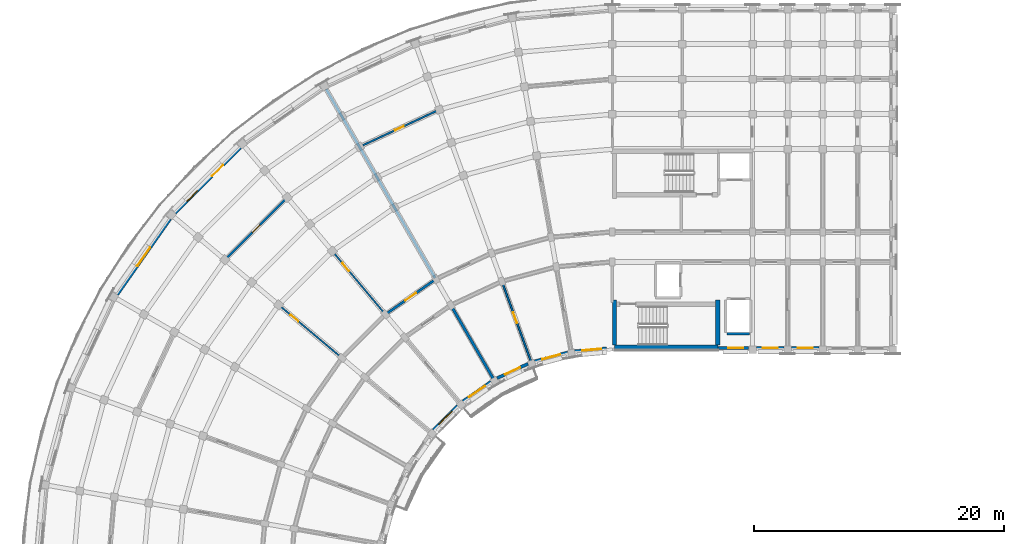
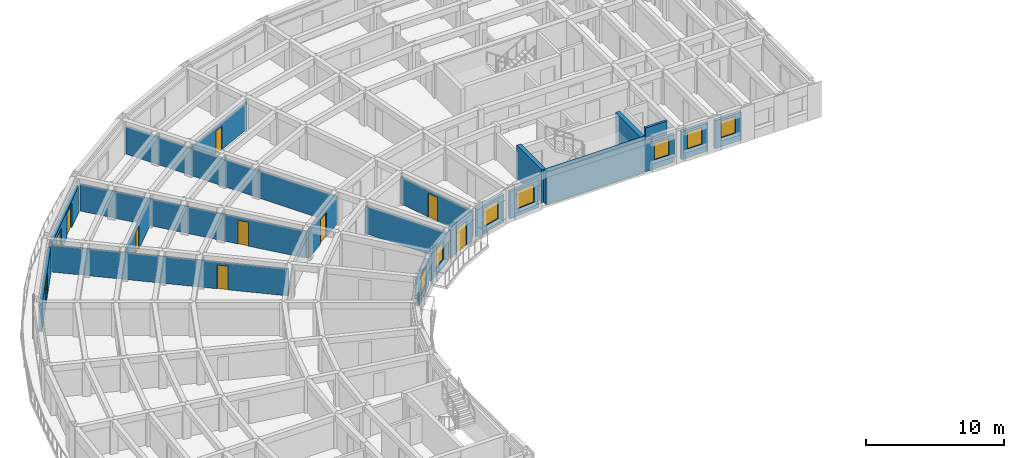
# One storey, part 24 of 53: 22 walls, 9 windows, 8 doors, 17 openings.
"""IFC4 building model written with IfcOpenShell, lengths in metres."""

import ifcopenshell
import ifcopenshell.guid

model = None  # the IFC model being written
_history = None  # IfcOwnerHistory: only IFC2X3 demands one
_inside = {}  # id of a spatial element -> (the spatial element, [elements in it])
_under = {}  # id of a project, library or spatial element -> (it, [spatial elements below it])
_declared = {}  # id of a project -> (the project, [libraries it declares])
_typed = {}  # id of a type object -> (the type object, [elements of that type])
_made_of = {}  # id of a material, layer set ... -> (it, [elements and type objects made of it])


def new_model(schema):
    """Start an empty IFC model of exactly this schema.

    Asked for "IFC4X3", IfcOpenShell would pick the latest addendum, in which some entities
    have other attributes; the version numbers below select the first issue.
    IFC2X3 requires an IfcOwnerHistory on every rooted entity: one is made here for all.
    """
    global model, _history
    if schema == "IFC4X3":
        model = ifcopenshell.file(schema_version=(4, 3, 0, 0))
    else:
        model = ifcopenshell.file(schema=schema)
    _inside.clear()
    _under.clear()
    _declared.clear()
    _typed.clear()
    _made_of.clear()
    _history = None
    if model.schema == "IFC2X3":
        org = make("IfcOrganization", Name="unknown")
        user = make(
            "IfcPersonAndOrganization",
            ThePerson=make("IfcPerson", FamilyName="unknown"),
            TheOrganization=org,
        )
        app = make(
            "IfcApplication",
            ApplicationDeveloper=org,
            Version="unknown",
            ApplicationFullName="unknown",
            ApplicationIdentifier="unknown",
        )
        _history = make(
            "IfcOwnerHistory",
            OwningUser=user,
            OwningApplication=app,
            ChangeAction="ADDED",
            CreationDate=0,
        )
    return model


def make(cls, **values):
    """One entity of the class cls with the attributes given. An attribute that is None is left unset."""
    return model.create_entity(
        cls, **{name: value for name, value in values.items() if value is not None}
    )


def rooted(cls, **values):
    """An entity with a GlobalId (a new one), such as an element, a storey or a relation."""
    return make(cls, GlobalId=ifcopenshell.guid.new(), OwnerHistory=_history, **values)


def si_unit(unit_type, name, prefix=None):
    """IfcSIUnit, for example si_unit("LENGTHUNIT", "METRE", prefix="MILLI")."""
    return make("IfcSIUnit", UnitType=unit_type, Prefix=prefix, Name=name)


def assignment(units):
    """IfcUnitAssignment: the units of a project."""
    return None if units is None else make("IfcUnitAssignment", Units=units)


def point(xyz):
    """IfcCartesianPoint."""
    return None if xyz is None else make("IfcCartesianPoint", Coordinates=xyz)


def direction(xyz):
    """IfcDirection."""
    return None if xyz is None else make("IfcDirection", DirectionRatios=xyz)


def frame(location, z_axis=None, x_axis=None):
    """IfcAxis2Placement3D, a coordinate frame: its origin and axes. An axis left out is left unset."""
    return make(
        "IfcAxis2Placement3D",
        Location=point(location),
        Axis=direction(z_axis),
        RefDirection=direction(x_axis),
    )


def frame_2d(location, x_axis=None):
    """IfcAxis2Placement2D, a coordinate frame in the plane: its origin and x axis."""
    return make(
        "IfcAxis2Placement2D", Location=point(location), RefDirection=direction(x_axis)
    )


def origin():
    """The frame at (0, 0, 0) with its axes left unset."""
    return frame((0.0, 0.0, 0.0))


def place(relative_to, where):
    """IfcLocalPlacement: puts the frame where relative to a parent placement (None: the world)."""
    return make(
        "IfcLocalPlacement", PlacementRelTo=relative_to, RelativePlacement=where
    )


def context(
    kind, dimensions, precision=None, world=None, true_north=None, identifier=None
):
    """IfcGeometricRepresentationContext, for example the 3D "Model" context."""
    return make(
        "IfcGeometricRepresentationContext",
        ContextIdentifier=identifier,
        ContextType=kind,
        CoordinateSpaceDimension=dimensions,
        Precision=precision,
        WorldCoordinateSystem=world,
        TrueNorth=true_north,
    )


def subcontext(parent, identifier, kind, view, scale=None):
    """IfcGeometricRepresentationSubContext, for example "Body" below "Model"."""
    return make(
        "IfcGeometricRepresentationSubContext",
        ContextIdentifier=identifier,
        ContextType=kind,
        ParentContext=parent,
        TargetScale=scale,
        TargetView=view,
    )


def project(units=None, contexts=None):
    """IfcProject with its units and contexts."""
    return rooted(
        "IfcProject",
        Name="project",
        RepresentationContexts=contexts,
        UnitsInContext=assignment(units),
    )


def spatial(cls, under=None, at=None, **own):
    """A site, building, storey or space (cls), placed at a placement, below another one or the project."""
    s = rooted(cls, ObjectPlacement=at, **own)
    if under is not None:
        _under.setdefault(under.id(), (under, []))[1].append(s)
    return s


def profile(cls, at=None, kind="AREA", **sizes):
    """A parametric profile (cls). Its sizes go by their IFC names, for example OverallWidth=200.0."""
    return make(cls, ProfileType=kind, Position=at, **sizes)


def rectangle(**sizes):
    """IfcRectangleProfileDef."""
    return profile("IfcRectangleProfileDef", **sizes)


def extrude(swept, where, along, depth):
    """IfcExtrudedAreaSolid: the profile swept, set in the frame where, extruded along a direction by depth."""
    return make(
        "IfcExtrudedAreaSolid",
        SweptArea=swept,
        Position=where,
        ExtrudedDirection=direction(along),
        Depth=depth,
    )


def shape(context_of_items, identifier, shape_type, items):
    """IfcShapeRepresentation: the items that make up one representation, for example the "Body"."""
    return make(
        "IfcShapeRepresentation",
        ContextOfItems=context_of_items,
        RepresentationIdentifier=identifier,
        RepresentationType=shape_type,
        Items=items,
    )


def material(Name=None, Category=None):
    """IfcMaterial."""
    return make("IfcMaterial", Name=Name, Category=Category)


def layer(
    of_material, thickness, ventilated=None, Name=None, Category=None, Priority=None
):
    """IfcMaterialLayer: one layer of a wall or slab, of a material (None: an air gap)."""
    return make(
        "IfcMaterialLayer",
        Material=of_material,
        LayerThickness=thickness,
        IsVentilated=ventilated,
        Name=Name,
        Category=Category,
        Priority=Priority,
    )


def layer_set(layers, Name=None):
    """IfcMaterialLayerSet."""
    return make("IfcMaterialLayerSet", MaterialLayers=layers, LayerSetName=Name)


def made_of(thing, what):
    """Note that an element or type object is made of a material, layer set ...; save() writes the relation."""
    if what is not None:
        _made_of.setdefault(what.id(), (what, []))[1].append(thing)
    return thing


def type_object(cls, material=None, **own):
    """A type object (cls), such as IfcWallType, which elements share."""
    return made_of(rooted(cls, **own), material)


def element(
    cls,
    number,
    at=None,
    inside=None,
    cuts=None,
    type_object=None,
    material=None,
    context=None,
    identifier="Body",
    shape_type=None,
    held_by="IfcProductDefinitionShape",
    body=None,
    shapes=None,
    **own,
):
    """One element of the class cls, such as IfcWall. Its Tag is "e" and its number.

    at: its placement. inside: the storey or other place that contains it. cuts: it is an
    opening in that element (IfcRelVoidsElement). A single representation is given by context,
    identifier, shape_type and body (its items); several are given by shapes. held_by: the class
    of the entity that holds the representations. save() writes the other relations.
    """
    e = rooted(cls, Tag="e%d" % number, ObjectPlacement=at, **own)
    if body is not None:
        shapes = [shape(context, identifier, shape_type, body)]
    if shapes is not None:
        e.Representation = make(held_by, Representations=shapes)
    if inside is not None:
        _inside.setdefault(inside.id(), (inside, []))[1].append(e)
    if cuts is not None:
        rooted(
            "IfcRelVoidsElement", RelatingBuildingElement=cuts, RelatedOpeningElement=e
        )
    if type_object is not None:
        _typed.setdefault(type_object.id(), (type_object, []))[1].append(e)
    return made_of(e, material)


def fill(opening, filler):
    """IfcRelFillsElement: the door or window that sits in an opening."""
    return rooted(
        "IfcRelFillsElement",
        RelatingOpeningElement=opening,
        RelatedBuildingElement=filler,
    )


def aggregate(whole, parts):
    """IfcRelAggregates: a whole, such as a stair, and the parts it consists of."""
    return rooted("IfcRelAggregates", RelatingObject=whole, RelatedObjects=parts)


def save(model, path):
    """Write the relations noted so far, then the file.

    IfcRelAggregates (storeys below a building ...), IfcRelContainedInSpatialStructure (elements
    in a storey), IfcRelDefinesByType, IfcRelAssociatesMaterial and IfcRelDeclares: one each for
    every whole, place, type object, material and project.
    """
    for whole, parts in _under.values():
        aggregate(whole, parts)
    for where, things in _inside.values():
        rooted(
            "IfcRelContainedInSpatialStructure",
            RelatedElements=things,
            RelatingStructure=where,
        )
    for kind, things in _typed.values():
        rooted("IfcRelDefinesByType", RelatedObjects=things, RelatingType=kind)
    for what, things in _made_of.values():
        rooted("IfcRelAssociatesMaterial", RelatedObjects=things, RelatingMaterial=what)
    for by, libraries in _declared.values():
        rooted("IfcRelDeclares", RelatingContext=by, RelatedDefinitions=libraries)
    model.write(path)


model = new_model("IFC4")

# Units and contexts
model_context = context("Model", 3, precision=1e-05, world=origin(), true_north=direction((0.0, 1.0)))
body_context = subcontext(model_context, "Body", "Model", "MODEL_VIEW")
ifc_project = project(units=[si_unit("LENGTHUNIT", "METRE"), si_unit("AREAUNIT", "SQUARE_METRE"), si_unit("VOLUMEUNIT", "CUBIC_METRE"), si_unit("PLANEANGLEUNIT", "RADIAN"), si_unit("MASSUNIT", "GRAM", prefix="KILO")], contexts=[model_context])

# Site, building, storey
site_placement = place(None, origin())
site = spatial("IfcSite", under=ifc_project, at=site_placement, CompositionType="ELEMENT")
building_placement = place(site_placement, origin())
building = spatial("IfcBuilding", under=site, at=building_placement, Name="Kiranvali Square Residences", CompositionType="ELEMENT")
storey_placement = place(building_placement, frame((0.0, 0.0, 30.75)))
storey = spatial("IfcBuildingStorey", under=building, at=storey_placement, Name="L09", CompositionType="ELEMENT", Elevation=30.75)

# Wall, opening, door
ifc_material_1 = material(Name="Autoclaved aerated concrete blockwork masonry", Category="masonry")
ifc_layer_1 = layer(ifc_material_1, 0.199951171875)
ifc_layer_set_1 = layer_set([ifc_layer_1], Name="Autoclaved aerated concrete blockwork masonry")
wall_type_1 = type_object("IfcWallType", Name="WL-COR-200", PredefinedType="STANDARD", material=ifc_layer_set_1)
wall_1_placement = place(storey_placement, frame((34.10009765625, 112.221923828125, 0.0), z_axis=(0.0, 0.0, 1.0), x_axis=(-0.819140911474, -0.573592335331, 0.0)))
wall_1 = element("IfcWall", 1, at=wall_1_placement, inside=storey, type_object=wall_type_1, Name="L09 architectural wall WL-L09-A-CCO-3", PredefinedType="STANDARD", context=body_context, shape_type="SweptSolid", body=[
    extrude(rectangle(XDim=4.915771484375, YDim=0.199951171875, at=frame_2d((2.4580078125, 0.0))), origin(), (0.0, 0.0, 1.0), 2.3720703125),
])
opening_1_placement = place(wall_1_placement, frame((1.937744140625, 0.0, 0.0)))
opening_1 = element("IfcOpeningElement", 2, at=opening_1_placement, cuts=wall_1, Name="Opening FD-APT-60B", PredefinedType="OPENING", context=body_context, shape_type="SweptSolid", body=[
    extrude(rectangle(XDim=1.0400390625, YDim=2.14990234375, at=frame_2d((0.52001953125, 1.074951171875))), frame((0.0, 0.10986328125, 0.0), z_axis=(0.0, -1.0, 0.0), x_axis=(1.0, 0.0, 0.0)), (0.0, 0.0, 1.0), 0.219970703125),
])
ifc_material_2 = material(Name="Fire-rated acoustic hardwood and mineral-core door assembly", Category="wood")
door_type_1 = type_object("IfcDoorType", Name="DR-APT-1040", OperationType="NOTDEFINED", PredefinedType="DOOR", material=ifc_material_2)
door_1_placement = place(opening_1_placement, origin())
door_1 = element("IfcDoor", 3, at=door_1_placement, inside=storey, type_object=door_type_1, Name="L09 door DR-L09-0611 (DR-APT-1040)", OperationType="SINGLE_SWING_LEFT", OverallHeight=2.14990234375, OverallWidth=1.0400390625, PredefinedType="DOOR", context=body_context, shape_type="SweptSolid", body=[
    extrude(rectangle(XDim=1.0400390625, YDim=2.14990234375, at=frame_2d((0.52001953125, 1.074951171875))), frame((0.0, 0.02490234375, 0.0), z_axis=(0.0, -1.0, 0.0), x_axis=(1.0, 0.0, 0.0)), (0.0, 0.0, 1.0), 0.050048828125),
])
fill(opening_1, door_1)

# Walls
ifc_layer_2 = layer(ifc_material_1, 0.219970703125)
ifc_layer_set_2 = layer_set([ifc_layer_2], Name="Autoclaved aerated concrete blockwork masonry")
wall_type_2 = type_object("IfcWallType", Name="WL-DEM-220", PredefinedType="STANDARD", material=ifc_layer_set_2)
wall_2_placement = place(storey_placement, frame((38.699951171875, 104.25439453125, 0.0), z_axis=(0.0, 0.0, 1.0), x_axis=(-0.499997969693, 0.866026575979, 0.0)))
element("IfcWall", 4, at=wall_2_placement, inside=storey, type_object=wall_type_2, Name="L09 architectural wall WL-L09-A-RADI-3", PredefinedType="STANDARD", context=body_context, shape_type="SweptSolid", body=[
    extrude(rectangle(XDim=6.75, YDim=0.219970703125, at=frame_2d((3.375, 0.0))), origin(), (0.0, 0.0, 1.0), 2.3720703125),
])
wall_3_placement = place(storey_placement, frame((34.050048828125, 112.30859375, 0.0), z_axis=(0.0, 0.0, 1.0), x_axis=(-0.499997843263, 0.866026648973, 0.0)))
element("IfcWall", 5, at=wall_3_placement, inside=storey, type_object=wall_type_2, Name="L09 architectural wall WL-L09-A-RADO-3", PredefinedType="STANDARD", context=body_context, shape_type="SweptSolid", body=[
    extrude(rectangle(XDim=17.419921875, YDim=0.219970703125, at=frame_2d((8.7099609375, 0.0))), origin(), (0.0, 0.0, 1.0), 2.3720703125),
])

# Wall, openings, door, window
ifc_material_3 = material(Name="Breathable lime-rendered clay brick masonry", Category="masonry")
ifc_layer_3 = layer(ifc_material_3, 0.25)
ifc_layer_set_3 = layer_set([ifc_layer_3], Name="Breathable lime-rendered clay brick masonry")
wall_type_3 = type_object("IfcWallType", Name="WL-EXT-250", PredefinedType="STANDARD", material=ifc_layer_set_3)
wall_4_placement = place(storey_placement, frame((18.489990234375, 122.719482421875, 0.0), z_axis=(0.0, 0.0, 1.0), x_axis=(-0.707106781187, -0.707106781187, 0.0)))
wall_4 = element("IfcWall", 6, at=wall_4_placement, inside=storey, type_object=wall_type_3, Name="L09 exterior wall A-L09-CRV-04", PredefinedType="STANDARD", context=body_context, shape_type="SweptSolid", body=[
    extrude(rectangle(XDim=7.3671875, YDim=0.25, at=frame_2d((3.68359375, 0.0))), origin(), (0.0, 0.0, 1.0), 2.3720703125),
])
opening_2_placement = place(wall_4_placement, frame((4.83984375, 0.0, 0.422119140625)))
opening_2 = element("IfcOpeningElement", 7, at=opening_2_placement, cuts=wall_4, Name="Opening W-06", PredefinedType="OPENING", context=body_context, shape_type="SweptSolid", body=[
    extrude(rectangle(XDim=1.199951171875, YDim=1.5, at=frame_2d((0.60009765625, 0.75))), frame((0.0, 0.135009765625, 0.0), z_axis=(0.0, -1.0, 0.0), x_axis=(1.0, 0.0, 0.0)), (0.0, 0.0, 1.0), 0.27001953125),
])
opening_3_placement = place(wall_4_placement, frame((1.948486328125, 0.0, 0.0)))
opening_3 = element("IfcOpeningElement", 8, at=opening_3_placement, cuts=wall_4, Name="Opening ED-BAL-2", PredefinedType="OPENING", context=body_context, shape_type="SweptSolid", body=[
    extrude(rectangle(XDim=1.260009765625, YDim=2.14990234375, at=frame_2d((0.6298828125, 1.074951171875))), frame((0.0, 0.135009765625, 0.0), z_axis=(0.0, -1.0, 0.0), x_axis=(1.0, 0.0, 0.0)), (0.0, 0.0, 1.0), 0.27001953125),
])
ifc_material_4 = material(Name="Anodised bronze aluminium framing", Category="aluminium")
door_type_2 = type_object("IfcDoorType", Name="DR-BAL-1260", OperationType="NOTDEFINED", PredefinedType="DOOR", material=ifc_material_4)
door_2_placement = place(opening_3_placement, frame((1.260009765625, 0.0, 0.0), z_axis=(0.0, 0.0, 1.0), x_axis=(-1.0, 0.0, 0.0)))
door_2 = element("IfcDoor", 9, at=door_2_placement, inside=storey, type_object=door_type_2, Name="L09 balcony terrace door", OperationType="SINGLE_SWING_RIGHT", OverallHeight=2.14990234375, OverallWidth=1.260009765625, PredefinedType="DOOR", context=body_context, shape_type="SweptSolid", body=[
    extrude(rectangle(XDim=1.260009765625, YDim=2.14990234375, at=frame_2d((0.6298828125, 1.074951171875))), frame((0.0, 0.02490234375, 0.0), z_axis=(0.0, -1.0, 0.0), x_axis=(1.0, 0.0, 0.0)), (0.0, 0.0, 1.0), 0.050048828125),
])
fill(opening_3, door_2)
ifc_material_5 = material(Name="Solar-control low-e double glazing", Category="glass")
window_type_1 = type_object("IfcWindowType", Name="WIN-RES-1200x1500", PartitioningType="SINGLE_PANEL", PredefinedType="WINDOW", material=ifc_material_5)
window_1_placement = place(opening_2_placement, origin())
window_1 = element("IfcWindow", 10, at=window_1_placement, inside=storey, type_object=window_type_1, Name="L09 recessed window A-L09-CRV-04", OverallHeight=1.5, OverallWidth=1.199951171875, PartitioningType="SINGLE_PANEL", PredefinedType="WINDOW", context=body_context, shape_type="SweptSolid", body=[
    extrude(rectangle(XDim=1.199951171875, YDim=1.5, at=frame_2d((0.60009765625, 0.75))), frame((0.0, 0.030029296875, 0.0), z_axis=(0.0, -1.0, 0.0), x_axis=(1.0, 0.0, 0.0)), (0.0, 0.0, 1.0), 0.06005859375),
])
fill(opening_2, window_1)

# Wall, opening, window
wall_5_placement = place(storey_placement, frame((12.877685546875, 117.02978515625, 0.0), z_axis=(0.0, 0.0, 1.0), x_axis=(-0.573582441919, -0.819147839112, 0.0)))
wall_5 = element("IfcWall", 11, at=wall_5_placement, inside=storey, type_object=wall_type_3, Name="L09 exterior wall A-L09-CRV-05", PredefinedType="STANDARD", context=body_context, shape_type="SweptSolid", body=[
    extrude(rectangle(XDim=7.366943359375, YDim=0.25, at=frame_2d((3.68359375, 0.0))), origin(), (0.0, 0.0, 1.0), 2.3720703125),
])
opening_4_placement = place(wall_5_placement, frame((2.783447265625, 0.0, 0.52197265625)))
opening_4 = element("IfcOpeningElement", 12, at=opening_4_placement, cuts=wall_5, Name="Opening W-04", PredefinedType="OPENING", context=body_context, shape_type="SweptSolid", body=[
    extrude(rectangle(XDim=1.800048828125, YDim=1.64990234375, at=frame_2d((0.89990234375, 0.824951171875))), frame((0.0, 0.135009765625, 0.0), z_axis=(0.0, -1.0, 0.0), x_axis=(1.0, 0.0, 0.0)), (0.0, 0.0, 1.0), 0.27001953125),
])
window_type_2 = type_object("IfcWindowType", Name="WIN-RES-1800x1650", PartitioningType="DOUBLE_PANEL_VERTICAL", PredefinedType="WINDOW", material=ifc_material_5)
window_2_placement = place(opening_4_placement, origin())
window_2 = element("IfcWindow", 13, at=window_2_placement, inside=storey, type_object=window_type_2, Name="L09 recessed window A-L09-CRV-05", OverallHeight=1.64990234375, OverallWidth=1.800048828125, PartitioningType="DOUBLE_PANEL_VERTICAL", PredefinedType="WINDOW", context=body_context, shape_type="SweptSolid", body=[
    extrude(rectangle(XDim=1.800048828125, YDim=1.64990234375, at=frame_2d((0.89990234375, 0.824951171875))), frame((0.0, 0.030029296875, 0.0), z_axis=(0.0, -1.0, 0.0), x_axis=(1.0, 0.0, 0.0)), (0.0, 0.0, 1.0), 0.06005859375),
])
fill(opening_4, window_2)

wall_6_placement = place(storey_placement, frame((47.750732421875, 106.686279296875, 0.0), z_axis=(0.0, 0.0, 1.0), x_axis=(-0.996188847542, -0.087222589008, 0.0)))
wall_6 = element("IfcWall", 14, at=wall_6_placement, inside=storey, type_object=wall_type_3, Name="L09 exterior wall A-L09-GDN-00", PredefinedType="STANDARD", context=body_context, shape_type="SweptSolid", body=[
    extrude(rectangle(XDim=2.558349609375, YDim=0.25, at=frame_2d((1.279296875, 0.0))), origin(), (0.0, 0.0, 1.0), 2.422119140625),
])
opening_5_placement = place(wall_6_placement, frame((0.423583984375, 0.0, 0.6220703125)))
opening_5 = element("IfcOpeningElement", 15, at=opening_5_placement, cuts=wall_6, Name="Opening W-18", PredefinedType="OPENING", context=body_context, shape_type="SweptSolid", body=[
    extrude(rectangle(XDim=1.550048828125, YDim=1.60009765625, at=frame_2d((0.77490234375, 0.800048828125))), frame((0.0, 0.135009765625, 0.0), z_axis=(0.0, -1.0, 0.0), x_axis=(1.0, 0.0, 0.0)), (0.0, 0.0, 1.0), 0.27001953125),
])
window_type_3 = type_object("IfcWindowType", Name="WIN-GDN-1550x1600", PartitioningType="DOUBLE_PANEL_VERTICAL", PredefinedType="WINDOW", material=ifc_material_5)
window_3_placement = place(opening_5_placement, origin())
window_3 = element("IfcWindow", 16, at=window_3_placement, inside=storey, type_object=window_type_3, Name="L09 recessed window A-L09-GDN-00", OverallHeight=1.60009765625, OverallWidth=1.550048828125, PartitioningType="DOUBLE_PANEL_VERTICAL", PredefinedType="WINDOW", context=body_context, shape_type="SweptSolid", body=[
    extrude(rectangle(XDim=1.550048828125, YDim=1.60009765625, at=frame_2d((0.77490234375, 0.800048828125))), frame((0.0, 0.030029296875, 0.0), z_axis=(0.0, -1.0, 0.0), x_axis=(1.0, 0.0, 0.0)), (0.0, 0.0, 1.0), 0.06005859375),
])
fill(opening_5, window_3)

wall_7_placement = place(storey_placement, frame((44.6337890625, 106.363037109375, 0.0), z_axis=(0.0, 0.0, 1.0), x_axis=(-0.965928818058, -0.258807879411, 0.0)))
wall_7 = element("IfcWall", 17, at=wall_7_placement, inside=storey, type_object=wall_type_3, Name="L09 exterior wall A-L09-GDN-01", PredefinedType="STANDARD", context=body_context, shape_type="SweptSolid", body=[
    extrude(rectangle(XDim=2.7197265625, YDim=0.25, at=frame_2d((1.35986328125, 0.0))), origin(), (0.0, 0.0, 1.0), 2.422119140625),
])
opening_6_placement = place(wall_7_placement, frame((0.60986328125, 0.0, 0.572021484375)))
opening_6 = element("IfcOpeningElement", 18, at=opening_6_placement, cuts=wall_7, Name="Opening W-05", PredefinedType="OPENING", context=body_context, shape_type="SweptSolid", body=[
    extrude(rectangle(XDim=1.5, YDim=1.64990234375, at=frame_2d((0.75, 0.824951171875))), frame((0.0, 0.135009765625, 0.0), z_axis=(0.0, -1.0, 0.0), x_axis=(1.0, 0.0, 0.0)), (0.0, 0.0, 1.0), 0.27001953125),
])
window_type_4 = type_object("IfcWindowType", Name="WIN-RES-1500x1650", PartitioningType="DOUBLE_PANEL_VERTICAL", PredefinedType="WINDOW", material=ifc_material_5)
window_4_placement = place(opening_6_placement, origin())
window_4 = element("IfcWindow", 19, at=window_4_placement, inside=storey, type_object=window_type_4, Name="L09 recessed window A-L09-GDN-01", OverallHeight=1.64990234375, OverallWidth=1.5, PartitioningType="DOUBLE_PANEL_VERTICAL", PredefinedType="WINDOW", context=body_context, shape_type="SweptSolid", body=[
    extrude(rectangle(XDim=1.5, YDim=1.64990234375, at=frame_2d((0.75, 0.824951171875))), frame((0.0, 0.030029296875, 0.0), z_axis=(0.0, -1.0, 0.0), x_axis=(1.0, 0.0, 0.0)), (0.0, 0.0, 1.0), 0.06005859375),
])
fill(opening_6, window_4)

# Wall, opening, door
wall_8_placement = place(storey_placement, frame((41.464599609375, 105.461669921875, 0.0), z_axis=(0.0, 0.0, 1.0), x_axis=(-0.906302358412, -0.422629903269, 0.0)))
wall_8 = element("IfcWall", 20, at=wall_8_placement, inside=storey, type_object=wall_type_3, Name="L09 exterior wall A-L09-GDN-02", PredefinedType="STANDARD", context=body_context, shape_type="SweptSolid", body=[
    extrude(rectangle(XDim=2.7197265625, YDim=0.25, at=frame_2d((1.35986328125, 0.0))), origin(), (0.0, 0.0, 1.0), 2.422119140625),
])
opening_7_placement = place(wall_8_placement, frame((0.699951171875, 0.0, 0.0)))
opening_7 = element("IfcOpeningElement", 21, at=opening_7_placement, cuts=wall_8, Name="Opening ED-BAL-3", PredefinedType="OPENING", context=body_context, shape_type="SweptSolid", body=[
    extrude(rectangle(XDim=1.320068359375, YDim=2.14990234375, at=frame_2d((0.66015625, 1.074951171875))), frame((0.0, 0.135009765625, 0.0), z_axis=(0.0, -1.0, 0.0), x_axis=(1.0, 0.0, 0.0)), (0.0, 0.0, 1.0), 0.27001953125),
])
door_type_3 = type_object("IfcDoorType", Name="DR-BAL-1320", OperationType="NOTDEFINED", PredefinedType="DOOR", material=ifc_material_4)
door_3_placement = place(opening_7_placement, origin())
door_3 = element("IfcDoor", 22, at=door_3_placement, inside=storey, type_object=door_type_3, Name="L09 balcony terrace door", OperationType="SINGLE_SWING_RIGHT", OverallHeight=2.14990234375, OverallWidth=1.320068359375, PredefinedType="DOOR", context=body_context, shape_type="SweptSolid", body=[
    extrude(rectangle(XDim=1.320068359375, YDim=2.14990234375, at=frame_2d((0.66015625, 1.074951171875))), frame((0.0, 0.02490234375, 0.0), z_axis=(0.0, -1.0, 0.0), x_axis=(1.0, 0.0, 0.0)), (0.0, 0.0, 1.0), 0.050048828125),
])
fill(opening_7, door_3)

# Wall, opening, window
wall_9_placement = place(storey_placement, frame((38.5, 104.02392578125, 0.0), z_axis=(0.0, 0.0, 1.0), x_axis=(-0.819126475299, -0.573612950921, 0.0)))
wall_9 = element("IfcWall", 23, at=wall_9_placement, inside=storey, type_object=wall_type_3, Name="L09 exterior wall A-L09-GDN-03", PredefinedType="STANDARD", context=body_context, shape_type="SweptSolid", body=[
    extrude(rectangle(XDim=2.7197265625, YDim=0.25, at=frame_2d((1.35986328125, 0.0))), origin(), (0.0, 0.0, 1.0), 2.422119140625),
])
opening_8_placement = place(wall_9_placement, frame((0.5849609375, 0.0, 0.6220703125)))
opening_8 = element("IfcOpeningElement", 24, at=opening_8_placement, cuts=wall_9, Name="Opening W-18", PredefinedType="OPENING", context=body_context, shape_type="SweptSolid", body=[
    extrude(rectangle(XDim=1.550048828125, YDim=1.60009765625, at=frame_2d((0.77490234375, 0.800048828125))), frame((0.0, 0.135009765625, 0.0), z_axis=(0.0, -1.0, 0.0), x_axis=(1.0, 0.0, 0.0)), (0.0, 0.0, 1.0), 0.27001953125),
])
window_5_placement = place(opening_8_placement, origin())
window_5 = element("IfcWindow", 25, at=window_5_placement, inside=storey, type_object=window_type_3, Name="L09 recessed window A-L09-GDN-03", OverallHeight=1.60009765625, OverallWidth=1.550048828125, PartitioningType="DOUBLE_PANEL_VERTICAL", PredefinedType="WINDOW", context=body_context, shape_type="SweptSolid", body=[
    extrude(rectangle(XDim=1.550048828125, YDim=1.60009765625, at=frame_2d((0.77490234375, 0.800048828125))), frame((0.0, 0.030029296875, 0.0), z_axis=(0.0, -1.0, 0.0), x_axis=(1.0, 0.0, 0.0)), (0.0, 0.0, 1.0), 0.06005859375),
])
fill(opening_8, window_5)

wall_10_placement = place(storey_placement, frame((35.830078125, 102.093017578125, 0.0), z_axis=(0.0, 0.0, 1.0), x_axis=(-0.707106781187, -0.707106781187, 0.0)))
wall_10 = element("IfcWall", 26, at=wall_10_placement, inside=storey, type_object=wall_type_3, Name="L09 exterior wall A-L09-GDN-04", PredefinedType="STANDARD", context=body_context, shape_type="SweptSolid", body=[
    extrude(rectangle(XDim=2.7197265625, YDim=0.25, at=frame_2d((1.35986328125, 0.0))), origin(), (0.0, 0.0, 1.0), 2.422119140625),
])
opening_9_placement = place(wall_10_placement, frame((0.60986328125, 0.0, 0.572021484375)))
opening_9 = element("IfcOpeningElement", 27, at=opening_9_placement, cuts=wall_10, Name="Opening W-05", PredefinedType="OPENING", context=body_context, shape_type="SweptSolid", body=[
    extrude(rectangle(XDim=1.5, YDim=1.64990234375, at=frame_2d((0.75, 0.824951171875))), frame((0.0, 0.135009765625, 0.0), z_axis=(0.0, -1.0, 0.0), x_axis=(1.0, 0.0, 0.0)), (0.0, 0.0, 1.0), 0.27001953125),
])
window_6_placement = place(opening_9_placement, origin())
window_6 = element("IfcWindow", 28, at=window_6_placement, inside=storey, type_object=window_type_4, Name="L09 recessed window A-L09-GDN-04", OverallHeight=1.64990234375, OverallWidth=1.5, PartitioningType="DOUBLE_PANEL_VERTICAL", PredefinedType="WINDOW", context=body_context, shape_type="SweptSolid", body=[
    extrude(rectangle(XDim=1.5, YDim=1.64990234375, at=frame_2d((0.75, 0.824951171875))), frame((0.0, 0.030029296875, 0.0), z_axis=(0.0, -1.0, 0.0), x_axis=(1.0, 0.0, 0.0)), (0.0, 0.0, 1.0), 0.06005859375),
])
fill(opening_9, window_6)

wall_11_placement = place(storey_placement, frame((56.62841796875, 106.72509765625, 0.0), z_axis=(0.0, 0.0, 1.0), x_axis=(1.0, 0.0, 0.0)))
wall_11 = element("IfcWall", 29, at=wall_11_placement, inside=storey, type_object=wall_type_3, Name="L09 exterior wall A-L09-A1IN-0", PredefinedType="STANDARD", context=body_context, shape_type="SweptSolid", body=[
    extrude(rectangle(XDim=2.468017578125, YDim=0.25, at=frame_2d((1.23388671875, 0.0))), origin(), (0.0, 0.0, 1.0), 2.471923828125),
])
opening_10_placement = place(wall_11_placement, frame((0.821533203125, 0.0, 0.77197265625)))
opening_10 = element("IfcOpeningElement", 30, at=opening_10_placement, cuts=wall_11, Name="Opening W-06", PredefinedType="OPENING", context=body_context, shape_type="SweptSolid", body=[
    extrude(rectangle(XDim=1.199951171875, YDim=1.5, at=frame_2d((0.60009765625, 0.75))), frame((0.0, 0.135009765625, 0.0), z_axis=(0.0, -1.0, 0.0), x_axis=(1.0, 0.0, 0.0)), (0.0, 0.0, 1.0), 0.27001953125),
])
window_7_placement = place(opening_10_placement, origin())
window_7 = element("IfcWindow", 31, at=window_7_placement, inside=storey, type_object=window_type_1, Name="L09 recessed window A-L09-A1IN-0", OverallHeight=1.5, OverallWidth=1.199951171875, PartitioningType="SINGLE_PANEL", PredefinedType="WINDOW", context=body_context, shape_type="SweptSolid", body=[
    extrude(rectangle(XDim=1.199951171875, YDim=1.5, at=frame_2d((0.60009765625, 0.75))), frame((0.0, 0.030029296875, 0.0), z_axis=(0.0, -1.0, 0.0), x_axis=(1.0, 0.0, 0.0)), (0.0, 0.0, 1.0), 0.06005859375),
])
fill(opening_10, window_7)

wall_12_placement = place(storey_placement, frame((59.70361328125, 106.72509765625, 0.0), z_axis=(0.0, 0.0, 1.0), x_axis=(1.0, 0.0, 0.0)))
wall_12 = element("IfcWall", 32, at=wall_12_placement, inside=storey, type_object=wall_type_3, Name="L09 exterior wall A-L09-A1I-0", PredefinedType="STANDARD", context=body_context, shape_type="SweptSolid", body=[
    extrude(rectangle(XDim=2.19287109375, YDim=0.25, at=frame_2d((1.096435546875, 0.0))), origin(), (0.0, 0.0, 1.0), 2.471923828125),
])
opening_11_placement = place(wall_12_placement, frame((0.49658203125, 0.0, 0.77197265625)))
opening_11 = element("IfcOpeningElement", 33, at=opening_11_placement, cuts=wall_12, Name="Opening W-06", PredefinedType="OPENING", context=body_context, shape_type="SweptSolid", body=[
    extrude(rectangle(XDim=1.199951171875, YDim=1.5, at=frame_2d((0.60009765625, 0.75))), frame((0.0, 0.135009765625, 0.0), z_axis=(0.0, -1.0, 0.0), x_axis=(1.0, 0.0, 0.0)), (0.0, 0.0, 1.0), 0.27001953125),
])
window_8_placement = place(opening_11_placement, origin())
window_8 = element("IfcWindow", 34, at=window_8_placement, inside=storey, type_object=window_type_1, Name="L09 recessed window A-L09-A1I-0", OverallHeight=1.5, OverallWidth=1.199951171875, PartitioningType="SINGLE_PANEL", PredefinedType="WINDOW", context=body_context, shape_type="SweptSolid", body=[
    extrude(rectangle(XDim=1.199951171875, YDim=1.5, at=frame_2d((0.60009765625, 0.75))), frame((0.0, 0.030029296875, 0.0), z_axis=(0.0, -1.0, 0.0), x_axis=(1.0, 0.0, 0.0)), (0.0, 0.0, 1.0), 0.06005859375),
])
fill(opening_11, window_8)

wall_13_placement = place(storey_placement, frame((62.50341796875, 106.72509765625, 0.0), z_axis=(0.0, 0.0, 1.0), x_axis=(1.0, 0.0, 0.0)))
wall_13 = element("IfcWall", 35, at=wall_13_placement, inside=storey, type_object=wall_type_3, Name="L09 exterior wall A-L09-A1I-1", PredefinedType="STANDARD", context=body_context, shape_type="SweptSolid", body=[
    extrude(rectangle(XDim=2.193115234375, YDim=0.25, at=frame_2d((1.0966796875, 0.0))), origin(), (0.0, 0.0, 1.0), 2.471923828125),
])
opening_12_placement = place(wall_13_placement, frame((0.49658203125, 0.0, 0.77197265625)))
opening_12 = element("IfcOpeningElement", 36, at=opening_12_placement, cuts=wall_13, Name="Opening W-06", PredefinedType="OPENING", context=body_context, shape_type="SweptSolid", body=[
    extrude(rectangle(XDim=1.199951171875, YDim=1.5, at=frame_2d((0.60009765625, 0.75))), frame((0.0, 0.135009765625, 0.0), z_axis=(0.0, -1.0, 0.0), x_axis=(1.0, 0.0, 0.0)), (0.0, 0.0, 1.0), 0.27001953125),
])
window_9_placement = place(opening_12_placement, origin())
window_9 = element("IfcWindow", 37, at=window_9_placement, inside=storey, type_object=window_type_1, Name="L09 recessed window A-L09-A1I-1", OverallHeight=1.5, OverallWidth=1.199951171875, PartitioningType="SINGLE_PANEL", PredefinedType="WINDOW", context=body_context, shape_type="SweptSolid", body=[
    extrude(rectangle(XDim=1.199951171875, YDim=1.5, at=frame_2d((0.60009765625, 0.75))), frame((0.0, 0.030029296875, 0.0), z_axis=(0.0, -1.0, 0.0), x_axis=(1.0, 0.0, 0.0)), (0.0, 0.0, 1.0), 0.06005859375),
])
fill(opening_12, window_9)

# Wall, opening, door
ifc_material_6 = material(Name="Acoustic gypsum board drylined partition", Category="gypsum")
ifc_layer_4 = layer(ifc_material_6, 0.125)
ifc_layer_set_4 = layer_set([ifc_layer_4], Name="Acoustic gypsum board drylined partition")
wall_type_4 = type_object("IfcWallType", Name="WL-PRT-125", PredefinedType="PARTITIONING", material=ifc_layer_set_4)
wall_14_placement = place(storey_placement, frame((30.009033203125, 109.47900390625, 0.0), z_axis=(0.0, 0.0, 1.0), x_axis=(-0.642784757967, 0.766046835987, 0.0)))
wall_14 = element("IfcWall", 38, at=wall_14_placement, inside=storey, type_object=wall_type_4, Name="L09 architectural wall WL-L09-A-RADO-4", PredefinedType="PARTITIONING", context=body_context, shape_type="SweptSolid", body=[
    extrude(rectangle(XDim=17.419921875, YDim=0.125, at=frame_2d((8.7099609375, 0.0))), origin(), (0.0, 0.0, 1.0), 2.3720703125),
])
opening_13_placement = place(wall_14_placement, frame((4.44970703125, 0.0, 0.0)))
opening_13 = element("IfcOpeningElement", 39, at=opening_13_placement, cuts=wall_14, Name="Opening ID-WET", PredefinedType="OPENING", context=body_context, shape_type="SweptSolid", body=[
    extrude(rectangle(XDim=0.800048828125, YDim=2.10009765625, at=frame_2d((0.39990234375, 1.050048828125))), frame((0.0, 0.072509765625, 0.0), z_axis=(0.0, -1.0, 0.0), x_axis=(1.0, 0.0, 0.0)), (0.0, 0.0, 1.0), 0.14501953125),
])
ifc_material_7 = material(Name="Solid seasoned teak hardwood joinery", Category="wood")
door_type_4 = type_object("IfcDoorType", Name="DR-WET-800", OperationType="NOTDEFINED", PredefinedType="DOOR", material=ifc_material_7)
door_4_placement = place(opening_13_placement, frame((0.800048828125, 0.0, 0.0), z_axis=(0.0, 0.0, 1.0), x_axis=(-1.0, 0.0, 0.0)))
door_4 = element("IfcDoor", 40, at=door_4_placement, inside=storey, type_object=door_type_4, Name="L09 door DR-L09-0600 (DR-WET-800)", OperationType="SINGLE_SWING_RIGHT", OverallHeight=2.10009765625, OverallWidth=0.800048828125, PredefinedType="DOOR", context=body_context, shape_type="SweptSolid", body=[
    extrude(rectangle(XDim=0.800048828125, YDim=2.10009765625, at=frame_2d((0.39990234375, 1.050048828125))), frame((0.0, 0.02490234375, 0.0), z_axis=(0.0, -1.0, 0.0), x_axis=(1.0, 0.0, 0.0)), (0.0, 0.0, 1.0), 0.050048828125),
])
fill(opening_13, door_4)

wall_15_placement = place(storey_placement, frame((26.52099609375, 105.990966796875, 0.0), z_axis=(0.0, 0.0, 1.0), x_axis=(-0.766046835987, 0.642784757967, 0.0)))
wall_15 = element("IfcWall", 41, at=wall_15_placement, inside=storey, type_object=wall_type_4, Name="L09 architectural wall WL-L09-A-RADO-5", PredefinedType="PARTITIONING", context=body_context, shape_type="SweptSolid", body=[
    extrude(rectangle(XDim=17.419921875, YDim=0.125, at=frame_2d((8.7099609375, 0.0))), origin(), (0.0, 0.0, 1.0), 2.3720703125),
])
opening_14_placement = place(wall_15_placement, frame((4.44970703125, 0.0, 0.0)))
opening_14 = element("IfcOpeningElement", 42, at=opening_14_placement, cuts=wall_15, Name="Opening ID-WET", PredefinedType="OPENING", context=body_context, shape_type="SweptSolid", body=[
    extrude(rectangle(XDim=0.800048828125, YDim=2.10009765625, at=frame_2d((0.39990234375, 1.050048828125))), frame((0.0, 0.072509765625, 0.0), z_axis=(0.0, -1.0, 0.0), x_axis=(1.0, 0.0, 0.0)), (0.0, 0.0, 1.0), 0.14501953125),
])
door_5_placement = place(opening_14_placement, frame((0.800048828125, 0.0, 0.0), z_axis=(0.0, 0.0, 1.0), x_axis=(-1.0, 0.0, 0.0)))
door_5 = element("IfcDoor", 43, at=door_5_placement, inside=storey, type_object=door_type_4, Name="L09 door DR-L09-0602 (DR-WET-800)", OperationType="SINGLE_SWING_RIGHT", OverallHeight=2.10009765625, OverallWidth=0.800048828125, PredefinedType="DOOR", context=body_context, shape_type="SweptSolid", body=[
    extrude(rectangle(XDim=0.800048828125, YDim=2.10009765625, at=frame_2d((0.39990234375, 1.050048828125))), frame((0.0, 0.02490234375, 0.0), z_axis=(0.0, -1.0, 0.0), x_axis=(1.0, 0.0, 0.0)), (0.0, 0.0, 1.0), 0.050048828125),
])
fill(opening_14, door_5)

ifc_layer_5 = layer(ifc_material_6, 0.14990234375)
ifc_layer_set_5 = layer_set([ifc_layer_5], Name="Acoustic gypsum board drylined partition")
wall_type_5 = type_object("IfcWallType", Name="WL-PRT-150", PredefinedType="PARTITIONING", material=ifc_layer_set_5)
wall_16_placement = place(storey_placement, frame((41.70166015625, 105.654052734375, 0.0), z_axis=(0.0, 0.0, 1.0), x_axis=(-0.342010221662, 0.939696231917, 0.0)))
wall_16 = element("IfcWall", 44, at=wall_16_placement, inside=storey, type_object=wall_type_5, Name="L09 architectural wall WL-L09-A-RADI-2", PredefinedType="PARTITIONING", context=body_context, shape_type="SweptSolid", body=[
    extrude(rectangle(XDim=6.75, YDim=0.14990234375, at=frame_2d((3.375, 0.0))), origin(), (0.0, 0.0, 1.0), 2.3720703125),
])
opening_15_placement = place(wall_16_placement, frame((3.262451171875, 0.0, 0.0)))
opening_15 = element("IfcOpeningElement", 45, at=opening_15_placement, cuts=wall_16, Name="Opening ID-1", PredefinedType="OPENING", context=body_context, shape_type="SweptSolid", body=[
    extrude(rectangle(XDim=0.89990234375, YDim=2.10009765625, at=frame_2d((0.449951171875, 1.050048828125))), frame((0.0, 0.0849609375, 0.0), z_axis=(0.0, -1.0, 0.0), x_axis=(1.0, 0.0, 0.0)), (0.0, 0.0, 1.0), 0.169921875),
])
door_type_5 = type_object("IfcDoorType", Name="DR-INT-900", OperationType="NOTDEFINED", PredefinedType="DOOR", material=ifc_material_7)
door_6_placement = place(opening_15_placement, frame((0.89990234375, 0.0, 0.0), z_axis=(0.0, 0.0, 1.0), x_axis=(-1.0, 0.0, 0.0)))
door_6 = element("IfcDoor", 46, at=door_6_placement, inside=storey, type_object=door_type_5, Name="L09 door DR-L09-0598 (DR-INT-900)", OperationType="SINGLE_SWING_RIGHT", OverallHeight=2.10009765625, OverallWidth=0.89990234375, PredefinedType="DOOR", context=body_context, shape_type="SweptSolid", body=[
    extrude(rectangle(XDim=0.89990234375, YDim=2.10009765625, at=frame_2d((0.449951171875, 1.050048828125))), frame((0.0, 0.02490234375, 0.0), z_axis=(0.0, -1.0, 0.0), x_axis=(1.0, 0.0, 0.0)), (0.0, 0.0, 1.0), 0.050048828125),
])
fill(opening_15, door_6)

# Walls
ifc_layer_6 = layer(ifc_material_1, 0.199951171875)
ifc_layer_set_6 = layer_set([ifc_layer_6], Name="Autoclaved aerated concrete blockwork masonry")
wall_type_6 = type_object("IfcWallType", Name="WL-SHF-200", PredefinedType="STANDARD", material=ifc_layer_set_6)
wall_17_placement = place(storey_placement, frame((57.35009765625, 107.85009765625, 0.0), z_axis=(0.0, 0.0, 1.0), x_axis=(1.0, 0.0, 0.0)))
element("IfcWall", 47, at=wall_17_placement, inside=storey, type_object=wall_type_6, Name="L09 architectural wall WL-L09-A-LP1-S2", PredefinedType="STANDARD", context=body_context, shape_type="SweptSolid", body=[
    extrude(rectangle(XDim=1.7998046875, YDim=0.199951171875, at=frame_2d((0.89990234375, 0.0))), origin(), (0.0, 0.0, 1.0), 2.929931640625),
])
ifc_material_8 = material(Name="Concrete M45 (45 MPa)", Category="concrete")
ifc_layer_7 = layer(ifc_material_8, 0.320068359375)
ifc_layer_set_7 = layer_set([ifc_layer_7], Name="Concrete M45 (45 MPa)")
wall_type_7 = type_object("IfcWallType", Name="WL-SHR-320", PredefinedType="SHEAR", material=ifc_layer_set_7)
wall_18_placement = place(storey_placement, frame((48.375, 106.77490234375, 0.0), z_axis=(0.0, 0.0, 1.0), x_axis=(1.0, 0.0, 0.0)))
element("IfcWall", 48, at=wall_18_placement, inside=storey, type_object=wall_type_7, Name="Block A core shear wall SW-A2-OUT-L09", PredefinedType="SHEAR", context=body_context, shape_type="SweptSolid", body=[
    extrude(rectangle(XDim=8.25, YDim=0.35009765625, at=frame_2d((4.125, 0.0))), origin(), (0.0, 0.0, 1.0), 2.929931640625),
])
for number, where, z_axis, x_axis, name in (
    (49, (48.375, 106.949951171875, 0.0), (0.0, 0.0, 1.0), (0.0, 1.0, 0.0), "Block A core shear wall SW-A2-NEAR-L09"),
    (50, (56.625, 106.949951171875, 0.0), (0.0, 0.0, 1.0), (0.0, 1.0, 0.0), "Block A core shear wall SW-A2-FAR-L09"),
):
    element("IfcWall", number, at=place(storey_placement, frame(where, z_axis=z_axis, x_axis=x_axis)), inside=storey, type_object=wall_type_7, Name=name, PredefinedType="SHEAR", context=body_context, shape_type="SweptSolid", body=[
        extrude(rectangle(XDim=3.60009765625, YDim=0.35009765625, at=frame_2d((1.800048828125, 0.0))), origin(), (0.0, 0.0, 1.0), 2.929931640625),
    ])

# Wall, opening, door
ifc_layer_8 = layer(ifc_material_1, 0.14990234375)
ifc_layer_set_8 = layer_set([ifc_layer_8], Name="Autoclaved aerated concrete blockwork masonry")
wall_type_8 = type_object("IfcWallType", Name="WL-WET-150", PredefinedType="PLUMBINGWALL", material=ifc_layer_set_8)
wall_19_placement = place(storey_placement, frame((34.38232421875, 125.763671875, 0.0), z_axis=(0.0, 0.0, 1.0), x_axis=(-0.906297360311, -0.422640621205, 0.0)))
wall_19 = element("IfcWall", 51, at=wall_19_placement, inside=storey, type_object=wall_type_8, Name="L09 architectural wall WL-L09-A-CWET-2", PredefinedType="PLUMBINGWALL", context=body_context, shape_type="SweptSolid", body=[
    extrude(rectangle(XDim=7.042236328125, YDim=0.14990234375, at=frame_2d((3.52099609375, 0.0))), origin(), (0.0, 0.0, 1.0), 2.3720703125),
])
opening_16_placement = place(wall_19_placement, frame((3.14111328125, 0.0, 0.0)))
opening_16 = element("IfcOpeningElement", 52, at=opening_16_placement, cuts=wall_19, Name="Opening ID-WET0", PredefinedType="OPENING", context=body_context, shape_type="SweptSolid", body=[
    extrude(rectangle(XDim=0.760009765625, YDim=2.050048828125, at=frame_2d((0.3798828125, 1.02490234375))), frame((0.0, 0.0849609375, 0.0), z_axis=(0.0, -1.0, 0.0), x_axis=(1.0, 0.0, 0.0)), (0.0, 0.0, 1.0), 0.169921875),
])
door_type_6 = type_object("IfcDoorType", Name="DR-WET-760", OperationType="NOTDEFINED", PredefinedType="DOOR", material=ifc_material_7)
door_7_placement = place(opening_16_placement, frame((0.760009765625, 0.0, 0.0), z_axis=(0.0, 0.0, 1.0), x_axis=(-1.0, 0.0, 0.0)))
door_7 = element("IfcDoor", 53, at=door_7_placement, inside=storey, type_object=door_type_6, Name="L09 door DR-L09-0610 (DR-WET-760)", OperationType="SINGLE_SWING_RIGHT", OverallHeight=2.050048828125, OverallWidth=0.760009765625, PredefinedType="DOOR", context=body_context, shape_type="SweptSolid", body=[
    extrude(rectangle(XDim=0.760009765625, YDim=2.050048828125, at=frame_2d((0.3798828125, 1.02490234375))), frame((0.0, 0.02490234375, 0.0), z_axis=(0.0, -1.0, 0.0), x_axis=(1.0, 0.0, 0.0)), (0.0, 0.0, 1.0), 0.050048828125),
])
fill(opening_16, door_7)

wall_20_placement = place(storey_placement, frame((22.2314453125, 118.748291015625, 0.0), z_axis=(0.0, 0.0, 1.0), x_axis=(-0.707106781187, -0.707106781187, 0.0)))
wall_20 = element("IfcWall", 54, at=wall_20_placement, inside=storey, type_object=wall_type_8, Name="L09 architectural wall WL-L09-A-CWET-4", PredefinedType="PLUMBINGWALL", context=body_context, shape_type="SweptSolid", body=[
    extrude(rectangle(XDim=7.04248046875, YDim=0.14990234375, at=frame_2d((3.521240234375, 0.0))), origin(), (0.0, 0.0, 1.0), 2.3720703125),
])
opening_17_placement = place(wall_20_placement, frame((3.10107421875, 0.0, 0.0)))
opening_17 = element("IfcOpeningElement", 55, at=opening_17_placement, cuts=wall_20, Name="Opening ID-WET2", PredefinedType="OPENING", context=body_context, shape_type="SweptSolid", body=[
    extrude(rectangle(XDim=0.840087890625, YDim=2.10009765625, at=frame_2d((0.419921875, 1.050048828125))), frame((0.0, 0.0849609375, 0.0), z_axis=(0.0, -1.0, 0.0), x_axis=(1.0, 0.0, 0.0)), (0.0, 0.0, 1.0), 0.169921875),
])
door_type_7 = type_object("IfcDoorType", Name="DR-WET-840", OperationType="NOTDEFINED", PredefinedType="DOOR", material=ifc_material_7)
door_8_placement = place(opening_17_placement, frame((0.840087890625, 0.0, 0.0), z_axis=(0.0, 0.0, 1.0), x_axis=(-1.0, 0.0, 0.0)))
door_8 = element("IfcDoor", 56, at=door_8_placement, inside=storey, type_object=door_type_7, Name="L09 door DR-L09-0612 (DR-WET-840)", OperationType="SINGLE_SWING_RIGHT", OverallHeight=2.10009765625, OverallWidth=0.840087890625, PredefinedType="DOOR", context=body_context, shape_type="SweptSolid", body=[
    extrude(rectangle(XDim=0.840087890625, YDim=2.10009765625, at=frame_2d((0.419921875, 1.050048828125))), frame((0.0, 0.02490234375, 0.0), z_axis=(0.0, -1.0, 0.0), x_axis=(1.0, 0.0, 0.0)), (0.0, 0.0, 1.0), 0.050048828125),
])
fill(opening_17, door_8)

save(model, "model.ifc")
